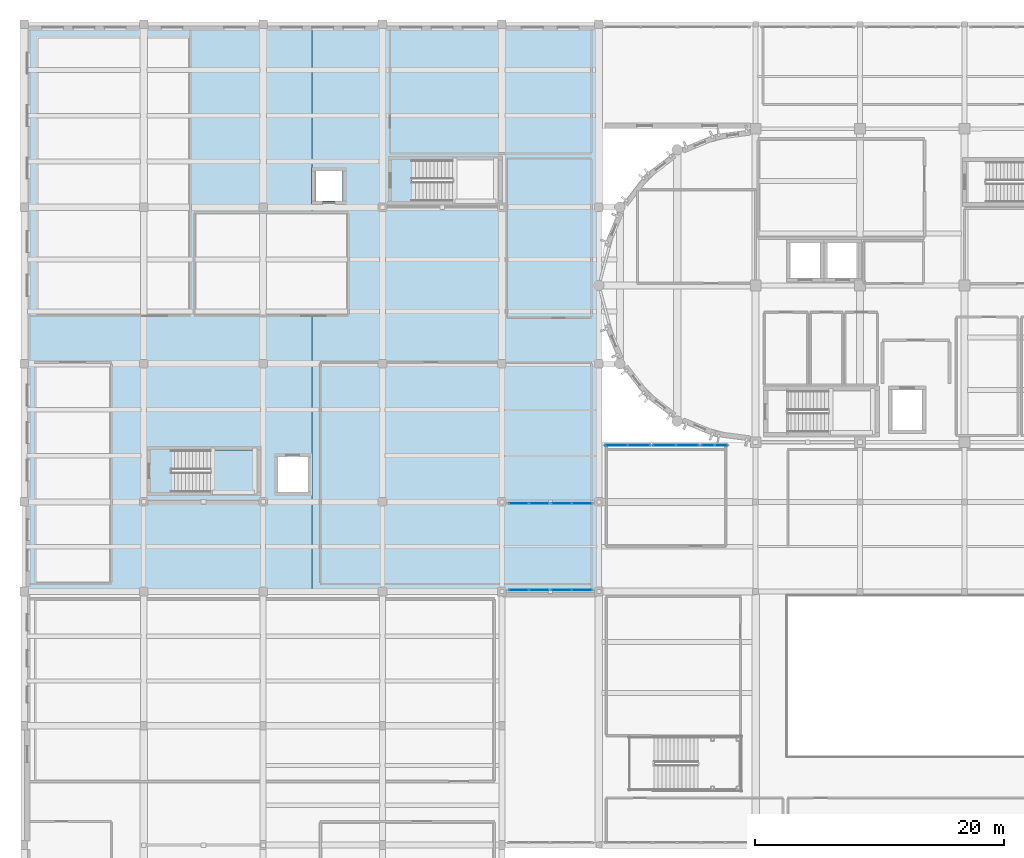
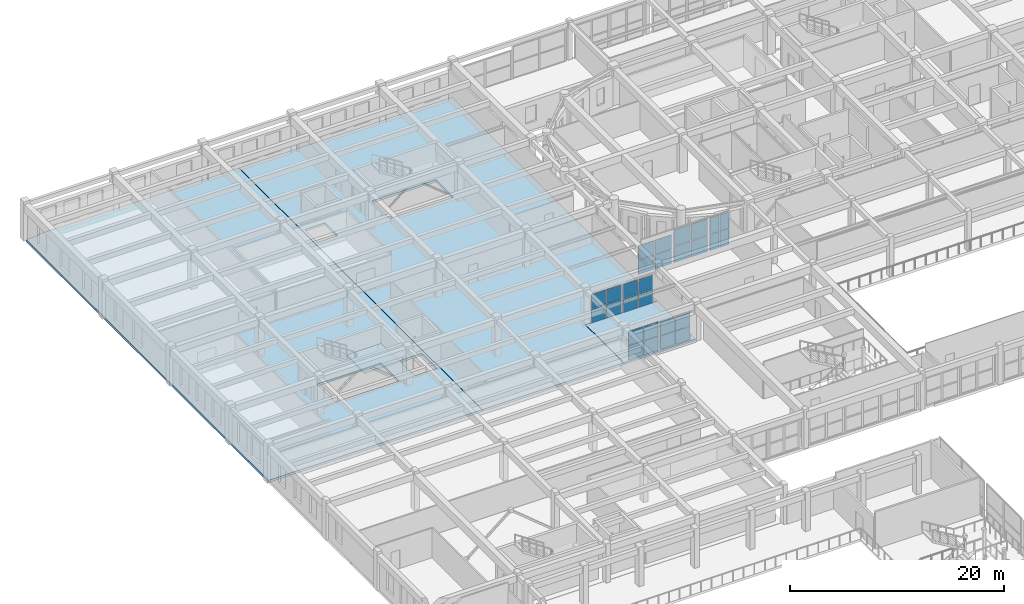
# One storey, part 57 of 92: 28 plates, 4 slabs, 8 elements without a shape of their own.
"""IFC4 building model written with IfcOpenShell, lengths in metres."""

import ifcopenshell
import ifcopenshell.guid

model = None  # the IFC model being written
_history = None  # IfcOwnerHistory: only IFC2X3 demands one
_inside = {}  # id of a spatial element -> (the spatial element, [elements in it])
_under = {}  # id of a project, library or spatial element -> (it, [spatial elements below it])
_declared = {}  # id of a project -> (the project, [libraries it declares])
_typed = {}  # id of a type object -> (the type object, [elements of that type])
_made_of = {}  # id of a material, layer set ... -> (it, [elements and type objects made of it])


def new_model(schema):
    """Start an empty IFC model of exactly this schema.

    Asked for "IFC4X3", IfcOpenShell would pick the latest addendum, in which some entities
    have other attributes; the version numbers below select the first issue.
    IFC2X3 requires an IfcOwnerHistory on every rooted entity: one is made here for all.
    """
    global model, _history
    if schema == "IFC4X3":
        model = ifcopenshell.file(schema_version=(4, 3, 0, 0))
    else:
        model = ifcopenshell.file(schema=schema)
    _inside.clear()
    _under.clear()
    _declared.clear()
    _typed.clear()
    _made_of.clear()
    _history = None
    if model.schema == "IFC2X3":
        org = make("IfcOrganization", Name="unknown")
        user = make(
            "IfcPersonAndOrganization",
            ThePerson=make("IfcPerson", FamilyName="unknown"),
            TheOrganization=org,
        )
        app = make(
            "IfcApplication",
            ApplicationDeveloper=org,
            Version="unknown",
            ApplicationFullName="unknown",
            ApplicationIdentifier="unknown",
        )
        _history = make(
            "IfcOwnerHistory",
            OwningUser=user,
            OwningApplication=app,
            ChangeAction="ADDED",
            CreationDate=0,
        )
    return model


def make(cls, **values):
    """One entity of the class cls with the attributes given. An attribute that is None is left unset."""
    return model.create_entity(
        cls, **{name: value for name, value in values.items() if value is not None}
    )


def rooted(cls, **values):
    """An entity with a GlobalId (a new one), such as an element, a storey or a relation."""
    return make(cls, GlobalId=ifcopenshell.guid.new(), OwnerHistory=_history, **values)


def si_unit(unit_type, name, prefix=None):
    """IfcSIUnit, for example si_unit("LENGTHUNIT", "METRE", prefix="MILLI")."""
    return make("IfcSIUnit", UnitType=unit_type, Prefix=prefix, Name=name)


def assignment(units):
    """IfcUnitAssignment: the units of a project."""
    return None if units is None else make("IfcUnitAssignment", Units=units)


def point(xyz):
    """IfcCartesianPoint."""
    return None if xyz is None else make("IfcCartesianPoint", Coordinates=xyz)


def direction(xyz):
    """IfcDirection."""
    return None if xyz is None else make("IfcDirection", DirectionRatios=xyz)


def frame(location, z_axis=None, x_axis=None):
    """IfcAxis2Placement3D, a coordinate frame: its origin and axes. An axis left out is left unset."""
    return make(
        "IfcAxis2Placement3D",
        Location=point(location),
        Axis=direction(z_axis),
        RefDirection=direction(x_axis),
    )


def frame_2d(location, x_axis=None):
    """IfcAxis2Placement2D, a coordinate frame in the plane: its origin and x axis."""
    return make(
        "IfcAxis2Placement2D", Location=point(location), RefDirection=direction(x_axis)
    )


def origin():
    """The frame at (0, 0, 0) with its axes left unset."""
    return frame((0.0, 0.0, 0.0))


def origin_2d():
    """The frame at (0, 0) in the plane with its x axis left unset."""
    return frame_2d((0.0, 0.0))


def place(relative_to, where):
    """IfcLocalPlacement: puts the frame where relative to a parent placement (None: the world)."""
    return make(
        "IfcLocalPlacement", PlacementRelTo=relative_to, RelativePlacement=where
    )


def context(
    kind, dimensions, precision=None, world=None, true_north=None, identifier=None
):
    """IfcGeometricRepresentationContext, for example the 3D "Model" context."""
    return make(
        "IfcGeometricRepresentationContext",
        ContextIdentifier=identifier,
        ContextType=kind,
        CoordinateSpaceDimension=dimensions,
        Precision=precision,
        WorldCoordinateSystem=world,
        TrueNorth=true_north,
    )


def subcontext(parent, identifier, kind, view, scale=None):
    """IfcGeometricRepresentationSubContext, for example "Body" below "Model"."""
    return make(
        "IfcGeometricRepresentationSubContext",
        ContextIdentifier=identifier,
        ContextType=kind,
        ParentContext=parent,
        TargetScale=scale,
        TargetView=view,
    )


def project(units=None, contexts=None):
    """IfcProject with its units and contexts."""
    return rooted(
        "IfcProject",
        Name="project",
        RepresentationContexts=contexts,
        UnitsInContext=assignment(units),
    )


def spatial(cls, under=None, at=None, **own):
    """A site, building, storey or space (cls), placed at a placement, below another one or the project."""
    s = rooted(cls, ObjectPlacement=at, **own)
    if under is not None:
        _under.setdefault(under.id(), (under, []))[1].append(s)
    return s


def polyline(points):
    """IfcPolyline through the points."""
    return make("IfcPolyline", Points=[point(p) for p in points])


def profile(cls, at=None, kind="AREA", **sizes):
    """A parametric profile (cls). Its sizes go by their IFC names, for example OverallWidth=200.0."""
    return make(cls, ProfileType=kind, Position=at, **sizes)


def rectangle(**sizes):
    """IfcRectangleProfileDef."""
    return profile("IfcRectangleProfileDef", **sizes)


def outline(outer, holes=None, kind="AREA"):
    """IfcArbitraryClosedProfileDef: a profile drawn as a closed curve; with holes, ...WithVoids."""
    if holes is None:
        return make("IfcArbitraryClosedProfileDef", ProfileType=kind, OuterCurve=outer)
    return make(
        "IfcArbitraryProfileDefWithVoids",
        ProfileType=kind,
        OuterCurve=outer,
        InnerCurves=holes,
    )


def extrude(swept, where, along, depth):
    """IfcExtrudedAreaSolid: the profile swept, set in the frame where, extruded along a direction by depth."""
    return make(
        "IfcExtrudedAreaSolid",
        SweptArea=swept,
        Position=where,
        ExtrudedDirection=direction(along),
        Depth=depth,
    )


def shape(context_of_items, identifier, shape_type, items):
    """IfcShapeRepresentation: the items that make up one representation, for example the "Body"."""
    return make(
        "IfcShapeRepresentation",
        ContextOfItems=context_of_items,
        RepresentationIdentifier=identifier,
        RepresentationType=shape_type,
        Items=items,
    )


def material(Name=None, Category=None):
    """IfcMaterial."""
    return make("IfcMaterial", Name=Name, Category=Category)


def layer(
    of_material, thickness, ventilated=None, Name=None, Category=None, Priority=None
):
    """IfcMaterialLayer: one layer of a wall or slab, of a material (None: an air gap)."""
    return make(
        "IfcMaterialLayer",
        Material=of_material,
        LayerThickness=thickness,
        IsVentilated=ventilated,
        Name=Name,
        Category=Category,
        Priority=Priority,
    )


def layer_set(layers, Name=None):
    """IfcMaterialLayerSet."""
    return make("IfcMaterialLayerSet", MaterialLayers=layers, LayerSetName=Name)


def made_of(thing, what):
    """Note that an element or type object is made of a material, layer set ...; save() writes the relation."""
    if what is not None:
        _made_of.setdefault(what.id(), (what, []))[1].append(thing)
    return thing


def type_object(cls, material=None, **own):
    """A type object (cls), such as IfcWallType, which elements share."""
    return made_of(rooted(cls, **own), material)


def element(
    cls,
    number,
    at=None,
    inside=None,
    cuts=None,
    type_object=None,
    material=None,
    context=None,
    identifier="Body",
    shape_type=None,
    held_by="IfcProductDefinitionShape",
    body=None,
    shapes=None,
    **own,
):
    """One element of the class cls, such as IfcWall. Its Tag is "e" and its number.

    at: its placement. inside: the storey or other place that contains it. cuts: it is an
    opening in that element (IfcRelVoidsElement). A single representation is given by context,
    identifier, shape_type and body (its items); several are given by shapes. held_by: the class
    of the entity that holds the representations. save() writes the other relations.
    """
    e = rooted(cls, Tag="e%d" % number, ObjectPlacement=at, **own)
    if body is not None:
        shapes = [shape(context, identifier, shape_type, body)]
    if shapes is not None:
        e.Representation = make(held_by, Representations=shapes)
    if inside is not None:
        _inside.setdefault(inside.id(), (inside, []))[1].append(e)
    if cuts is not None:
        rooted(
            "IfcRelVoidsElement", RelatingBuildingElement=cuts, RelatedOpeningElement=e
        )
    if type_object is not None:
        _typed.setdefault(type_object.id(), (type_object, []))[1].append(e)
    return made_of(e, material)


def aggregate(whole, parts):
    """IfcRelAggregates: a whole, such as a stair, and the parts it consists of."""
    return rooted("IfcRelAggregates", RelatingObject=whole, RelatedObjects=parts)


def save(model, path):
    """Write the relations noted so far, then the file.

    IfcRelAggregates (storeys below a building ...), IfcRelContainedInSpatialStructure (elements
    in a storey), IfcRelDefinesByType, IfcRelAssociatesMaterial and IfcRelDeclares: one each for
    every whole, place, type object, material and project.
    """
    for whole, parts in _under.values():
        aggregate(whole, parts)
    for where, things in _inside.values():
        rooted(
            "IfcRelContainedInSpatialStructure",
            RelatedElements=things,
            RelatingStructure=where,
        )
    for kind, things in _typed.values():
        rooted("IfcRelDefinesByType", RelatedObjects=things, RelatingType=kind)
    for what, things in _made_of.values():
        rooted("IfcRelAssociatesMaterial", RelatedObjects=things, RelatingMaterial=what)
    for by, libraries in _declared.values():
        rooted("IfcRelDeclares", RelatingContext=by, RelatedDefinitions=libraries)
    model.write(path)


model = new_model("IFC4")

# Units and contexts
model_context = context("Model", 3, precision=1e-05, world=origin(), true_north=direction((0.0, 1.0)))
body_context = subcontext(model_context, "Body", "Model", "MODEL_VIEW")
ifc_project = project(units=[si_unit("LENGTHUNIT", "METRE"), si_unit("AREAUNIT", "SQUARE_METRE"), si_unit("VOLUMEUNIT", "CUBIC_METRE"), si_unit("PLANEANGLEUNIT", "RADIAN"), si_unit("MASSUNIT", "GRAM", prefix="KILO")], contexts=[model_context])

# Site, building, storey
site_placement = place(None, origin())
site = spatial("IfcSite", under=ifc_project, at=site_placement, CompositionType="ELEMENT")
building_placement = place(site_placement, origin())
building = spatial("IfcBuilding", under=site, at=building_placement, Name="Tarnavel Promenade Courthouse", CompositionType="ELEMENT")
storey_placement = place(building_placement, frame((0.0, 0.0, 5.39990234375)))
storey = spatial("IfcBuildingStorey", under=building, at=storey_placement, Name="L02", CompositionType="ELEMENT", Elevation=5.39990234375)

# Slab
ifc_material_1 = material(Name="Concrete C35/45", Category="concrete")
ifc_layer_1 = layer(ifc_material_1, 0.2099609375)
ifc_layer_set_1 = layer_set([ifc_layer_1], Name="Concrete C35/45")
slab_type_1 = type_object("IfcSlabType", Name="Concrete C35/45 SLB-BRG-210 (210 mm)", PredefinedType="FLOOR", material=ifc_layer_set_1)
slab_1_placement = place(storey_placement, frame((0.0, 0.0, -0.2099609375)))
element("IfcSlab", 1, at=slab_1_placement, inside=storey, type_object=slab_type_1, Name="L02 West Judicial Link Bridge Deck", PredefinedType="FLOOR", context=body_context, shape_type="SweptSolid", body=[
    extrude(outline(polyline([(38.419921875, 67.219970703125), (46.179931640625, 67.219970703125), (46.179931640625, 74.3798828125), (38.419921875, 74.3798828125), (38.419921875, 67.219970703125)])), origin(), (0.0, 0.0, 1.0), 0.2099609375),
])

# Stair, slab
stair_type = type_object("IfcStairType", Name="Concrete C35/45 Half-Turn Stair STR-09 (1580W-290G-24R)", PredefinedType="HALF_TURN_STAIR", material=ifc_material_1)
stair_placement = place(storey_placement, origin())
stair = element("IfcStair", 2, at=stair_placement, inside=storey, type_object=stair_type, Name="L02 Trial Courts West Exit Stair", PredefinedType="HALF_TURN_STAIR")
ifc_layer_2 = layer(ifc_material_1, 0.205078125)
ifc_layer_set_2 = layer_set([ifc_layer_2], Name="Concrete C35/45")
slab_type_2 = type_object("IfcSlabType", Name="Concrete C35/45 Stair Landing SLB-LND-205 (205 mm)", PredefinedType="LANDING", material=ifc_layer_set_2)
slab_2_placement = place(storey_placement, frame((0.0, 0.0, 2.050048828125)))
slab_2 = element("IfcSlab", 3, at=slab_2_placement, type_object=slab_type_2, Name="ST-04 landing 1", PredefinedType="LANDING", context=body_context, shape_type="SweptSolid", body=[
    extrude(outline(polyline([(14.969970703125, 75.199951171875), (18.699951171875, 75.199951171875), (18.699951171875, 78.56005859375), (14.969970703125, 78.56005859375), (14.969970703125, 75.199951171875)])), origin(), (0.0, 0.0, 1.0), 0.199951171875),
])
aggregate(stair, [slab_2])

# Slabs
ifc_material_2 = material(Name="Concrete C40/50", Category="concrete")
ifc_layer_3 = layer(ifc_material_2, 0.260009765625)
ifc_layer_set_3 = layer_set([ifc_layer_3], Name="Concrete C40/50")
slab_type_3 = type_object("IfcSlabType", Name="Concrete C40/50 SLB-PT-260 (260 mm)", PredefinedType="FLOOR", material=ifc_layer_set_3)
slab_3_placement = place(storey_placement, frame((0.0, 0.0, -0.260009765625)))
element("IfcSlab", 4, at=slab_3_placement, inside=storey, type_object=slab_type_3, Name="L02 Trial Courtrooms W PT Floor Slab", PredefinedType="FLOOR", context=body_context, shape_type="SweptSolid", body=[
    extrude(outline(polyline([(0.0, 67.219970703125), (23.080078125, 67.219970703125), (23.080078125, 112.800048828125), (1.39990234375, 112.800048828125), (1.39990234375, 112.639892578125), (0.0, 112.639892578125), (0.0, 67.219970703125)]), holes=[polyline([(11.824951171875, 75.199951171875), (18.699951171875, 75.199951171875), (18.699951171875, 78.56005859375), (11.824951171875, 78.56005859375), (11.824951171875, 75.199951171875)]), polyline([(20.39990234375, 75.199951171875), (22.800048828125, 75.199951171875), (22.800048828125, 78.0), (20.39990234375, 78.0), (20.39990234375, 75.199951171875)])]), origin(), (0.0, 0.0, 1.0), 0.260009765625),
])
slab_4_placement = place(storey_placement, frame((0.0, 0.0, -0.260009765625)))
element("IfcSlab", 5, at=slab_4_placement, inside=storey, type_object=slab_type_3, Name="L02 Trial Courtrooms E PT Floor Slab", PredefinedType="FLOOR", context=body_context, shape_type="SweptSolid", body=[
    extrude(outline(polyline([(23.1201171875, 67.219970703125), (38.3798828125, 67.219970703125), (38.3798828125, 74.419921875), (46.179931640625, 74.419921875), (46.179931640625, 112.800048828125), (23.1201171875, 112.800048828125), (23.1201171875, 67.219970703125)]), holes=[polyline([(31.18505859375, 98.60009765625), (38.10009765625, 98.60009765625), (38.10009765625, 101.8798828125), (31.18505859375, 101.8798828125), (31.18505859375, 98.60009765625)]), polyline([(23.39990234375, 98.60009765625), (25.60009765625, 98.60009765625), (25.60009765625, 101.0), (23.39990234375, 101.0), (23.39990234375, 98.60009765625)])]), origin(), (0.0, 0.0, 1.0), 0.260009765625),
])

# Curtain wall, plates
ifc_material_3 = material(Name="Thermally Broken Anodised Aluminium Curtain Wall System", Category="aluminium")
ifc_layer_4 = layer(ifc_material_3, 0.18505859375)
ifc_layer_set_4 = layer_set([ifc_layer_4], Name="Thermally Broken Anodised Aluminium Curtain Wall System")
curtain_wall_type_1 = type_object("IfcCurtainWallType", Name="Thermally Broken Aluminium Triple-Glazed Curtain Wall CW-BRG", PredefinedType="NOTDEFINED", material=ifc_layer_set_4)
curtain_wall_1_placement = place(storey_placement, origin())
curtain_wall_1 = element("IfcCurtainWall", 6, at=curtain_wall_1_placement, inside=storey, type_object=curtain_wall_type_1, Name="L02 West Bridge Curtain Wall A 150", PredefinedType="NOTDEFINED")
ifc_material_4 = material(Name="Triple Low-E Argon Insulated Glazing", Category="glass")
ifc_layer_5 = layer(ifc_material_4, 0.0419921875)
ifc_layer_set_5 = layer_set([ifc_layer_5], Name="Triple Low-E Argon Insulated Glazing")
plate_type_1 = type_object("IfcPlateType", Name="Triple Low-E Argon Insulated Glazing Unit CWP-42 (42 mm)", PredefinedType="CURTAIN_PANEL", material=ifc_layer_set_5)
plate_1_placement = place(storey_placement, frame((39.760009765625, 67.330078125, 0.070068359375), z_axis=(0.0, 0.0, 1.0), x_axis=(1.0, 0.0, 0.0)))
plate_1 = element("IfcPlate", 7, at=plate_1_placement, type_object=plate_type_1, Name="CW-05 panel 1.1", PredefinedType="CURTAIN_PANEL", context=body_context, shape_type="SweptSolid", body=[
    extrude(rectangle(XDim=1.56005859375, YDim=0.0419921875, at=origin_2d()), origin(), (0.0, 0.0, 1.0), 1.5849609375),
])
plate_2_placement = place(storey_placement, frame((39.760009765625, 67.330078125, 1.72509765625), z_axis=(0.0, 0.0, 1.0), x_axis=(1.0, 0.0, 0.0)))
plate_2 = element("IfcPlate", 8, at=plate_2_placement, type_object=plate_type_1, Name="CW-05 panel 1.2", PredefinedType="CURTAIN_PANEL", context=body_context, shape_type="SweptSolid", body=[
    extrude(rectangle(XDim=1.56005859375, YDim=0.0419921875, at=origin_2d()), origin(), (0.0, 0.0, 1.0), 1.5849609375),
])
plate_3_placement = place(storey_placement, frame((41.39990234375, 67.330078125, 0.070068359375), z_axis=(0.0, 0.0, 1.0), x_axis=(1.0, 0.0, 0.0)))
plate_3 = element("IfcPlate", 9, at=plate_3_placement, type_object=plate_type_1, Name="CW-05 panel 2.1", PredefinedType="CURTAIN_PANEL", context=body_context, shape_type="SweptSolid", body=[
    extrude(rectangle(XDim=1.56005859375, YDim=0.0419921875, at=origin_2d()), origin(), (0.0, 0.0, 1.0), 1.5849609375),
])
plate_4_placement = place(storey_placement, frame((41.39990234375, 67.330078125, 1.72509765625), z_axis=(0.0, 0.0, 1.0), x_axis=(1.0, 0.0, 0.0)))
plate_4 = element("IfcPlate", 10, at=plate_4_placement, type_object=plate_type_1, Name="CW-05 panel 2.2", PredefinedType="CURTAIN_PANEL", context=body_context, shape_type="SweptSolid", body=[
    extrude(rectangle(XDim=1.56005859375, YDim=0.0419921875, at=origin_2d()), origin(), (0.0, 0.0, 1.0), 1.5849609375),
])
aggregate(curtain_wall_1, [plate_1, plate_2, plate_3, plate_4])

curtain_wall_2_placement = place(storey_placement, origin())
curtain_wall_2 = element("IfcCurtainWall", 11, at=curtain_wall_2_placement, inside=storey, type_object=curtain_wall_type_1, Name="L02 West Bridge Curtain Wall B 151", PredefinedType="NOTDEFINED")
plate_5_placement = place(storey_placement, frame((43.199951171875, 67.330078125, 0.0703125), z_axis=(0.0, 0.0, 1.0), x_axis=(1.0, 0.0, 0.0)))
plate_5 = element("IfcPlate", 12, at=plate_5_placement, type_object=plate_type_1, Name="CW-05 panel 1.1", PredefinedType="CURTAIN_PANEL", context=body_context, shape_type="SweptSolid", body=[
    extrude(rectangle(XDim=1.56005859375, YDim=0.0419921875, at=origin_2d()), origin(), (0.0, 0.0, 1.0), 1.510009765625),
])
plate_6_placement = place(storey_placement, frame((43.199951171875, 67.330078125, 1.64990234375), z_axis=(0.0, 0.0, 1.0), x_axis=(1.0, 0.0, 0.0)))
plate_6 = element("IfcPlate", 13, at=plate_6_placement, type_object=plate_type_1, Name="CW-05 panel 1.2", PredefinedType="CURTAIN_PANEL", context=body_context, shape_type="SweptSolid", body=[
    extrude(rectangle(XDim=1.56005859375, YDim=0.0419921875, at=origin_2d()), origin(), (0.0, 0.0, 1.0), 1.510009765625),
])
plate_7_placement = place(storey_placement, frame((44.840087890625, 67.330078125, 0.0703125), z_axis=(0.0, 0.0, 1.0), x_axis=(1.0, 0.0, 0.0)))
plate_7 = element("IfcPlate", 14, at=plate_7_placement, type_object=plate_type_1, Name="CW-05 panel 2.1", PredefinedType="CURTAIN_PANEL", context=body_context, shape_type="SweptSolid", body=[
    extrude(rectangle(XDim=1.56005859375, YDim=0.0419921875, at=origin_2d()), origin(), (0.0, 0.0, 1.0), 1.510009765625),
])
plate_8_placement = place(storey_placement, frame((44.840087890625, 67.330078125, 1.64990234375), z_axis=(0.0, 0.0, 1.0), x_axis=(1.0, 0.0, 0.0)))
plate_8 = element("IfcPlate", 15, at=plate_8_placement, type_object=plate_type_1, Name="CW-05 panel 2.2", PredefinedType="CURTAIN_PANEL", context=body_context, shape_type="SweptSolid", body=[
    extrude(rectangle(XDim=1.56005859375, YDim=0.0419921875, at=origin_2d()), origin(), (0.0, 0.0, 1.0), 1.510009765625),
])
aggregate(curtain_wall_2, [plate_5, plate_6, plate_7, plate_8])

curtain_wall_3_placement = place(storey_placement, origin())
curtain_wall_3 = element("IfcCurtainWall", 16, at=curtain_wall_3_placement, inside=storey, type_object=curtain_wall_type_1, Name="L02 West Bridge Curtain Wall A 152", PredefinedType="NOTDEFINED")
plate_9_placement = place(storey_placement, frame((39.760009765625, 74.27001953125, 0.070068359375), z_axis=(0.0, 0.0, 1.0), x_axis=(1.0, 0.0, 0.0)))
plate_9 = element("IfcPlate", 17, at=plate_9_placement, type_object=plate_type_1, Name="CW-05 panel 1.1", PredefinedType="CURTAIN_PANEL", context=body_context, shape_type="SweptSolid", body=[
    extrude(rectangle(XDim=1.56005859375, YDim=0.0419921875, at=origin_2d()), origin(), (0.0, 0.0, 1.0), 1.5849609375),
])
plate_10_placement = place(storey_placement, frame((39.760009765625, 74.27001953125, 1.72509765625), z_axis=(0.0, 0.0, 1.0), x_axis=(1.0, 0.0, 0.0)))
plate_10 = element("IfcPlate", 18, at=plate_10_placement, type_object=plate_type_1, Name="CW-05 panel 1.2", PredefinedType="CURTAIN_PANEL", context=body_context, shape_type="SweptSolid", body=[
    extrude(rectangle(XDim=1.56005859375, YDim=0.0419921875, at=origin_2d()), origin(), (0.0, 0.0, 1.0), 1.5849609375),
])
plate_11_placement = place(storey_placement, frame((41.39990234375, 74.27001953125, 0.070068359375), z_axis=(0.0, 0.0, 1.0), x_axis=(1.0, 0.0, 0.0)))
plate_11 = element("IfcPlate", 19, at=plate_11_placement, type_object=plate_type_1, Name="CW-05 panel 2.1", PredefinedType="CURTAIN_PANEL", context=body_context, shape_type="SweptSolid", body=[
    extrude(rectangle(XDim=1.56005859375, YDim=0.0419921875, at=origin_2d()), origin(), (0.0, 0.0, 1.0), 1.5849609375),
])
plate_12_placement = place(storey_placement, frame((41.39990234375, 74.27001953125, 1.72509765625), z_axis=(0.0, 0.0, 1.0), x_axis=(1.0, 0.0, 0.0)))
plate_12 = element("IfcPlate", 20, at=plate_12_placement, type_object=plate_type_1, Name="CW-05 panel 2.2", PredefinedType="CURTAIN_PANEL", context=body_context, shape_type="SweptSolid", body=[
    extrude(rectangle(XDim=1.56005859375, YDim=0.0419921875, at=origin_2d()), origin(), (0.0, 0.0, 1.0), 1.5849609375),
])
aggregate(curtain_wall_3, [plate_9, plate_10, plate_11, plate_12])

curtain_wall_4_placement = place(storey_placement, origin())
curtain_wall_4 = element("IfcCurtainWall", 21, at=curtain_wall_4_placement, inside=storey, type_object=curtain_wall_type_1, Name="L02 West Bridge Curtain Wall B 153", PredefinedType="NOTDEFINED")
plate_13_placement = place(storey_placement, frame((43.199951171875, 74.27001953125, 0.070068359375), z_axis=(0.0, 0.0, 1.0), x_axis=(1.0, 0.0, 0.0)))
plate_13 = element("IfcPlate", 22, at=plate_13_placement, type_object=plate_type_1, Name="CW-05 panel 1.1", PredefinedType="CURTAIN_PANEL", context=body_context, shape_type="SweptSolid", body=[
    extrude(rectangle(XDim=1.56005859375, YDim=0.0419921875, at=origin_2d()), origin(), (0.0, 0.0, 1.0), 1.56005859375),
])
plate_14_placement = place(storey_placement, frame((43.199951171875, 74.27001953125, 1.699951171875), z_axis=(0.0, 0.0, 1.0), x_axis=(1.0, 0.0, 0.0)))
plate_14 = element("IfcPlate", 23, at=plate_14_placement, type_object=plate_type_1, Name="CW-05 panel 1.2", PredefinedType="CURTAIN_PANEL", context=body_context, shape_type="SweptSolid", body=[
    extrude(rectangle(XDim=1.56005859375, YDim=0.0419921875, at=origin_2d()), origin(), (0.0, 0.0, 1.0), 1.56005859375),
])
plate_15_placement = place(storey_placement, frame((44.840087890625, 74.27001953125, 0.070068359375), z_axis=(0.0, 0.0, 1.0), x_axis=(1.0, 0.0, 0.0)))
plate_15 = element("IfcPlate", 24, at=plate_15_placement, type_object=plate_type_1, Name="CW-05 panel 2.1", PredefinedType="CURTAIN_PANEL", context=body_context, shape_type="SweptSolid", body=[
    extrude(rectangle(XDim=1.56005859375, YDim=0.0419921875, at=origin_2d()), origin(), (0.0, 0.0, 1.0), 1.56005859375),
])
plate_16_placement = place(storey_placement, frame((44.840087890625, 74.27001953125, 1.699951171875), z_axis=(0.0, 0.0, 1.0), x_axis=(1.0, 0.0, 0.0)))
plate_16 = element("IfcPlate", 25, at=plate_16_placement, type_object=plate_type_1, Name="CW-05 panel 2.2", PredefinedType="CURTAIN_PANEL", context=body_context, shape_type="SweptSolid", body=[
    extrude(rectangle(XDim=1.56005859375, YDim=0.0419921875, at=origin_2d()), origin(), (0.0, 0.0, 1.0), 1.56005859375),
])
aggregate(curtain_wall_4, [plate_13, plate_14, plate_15, plate_16])

ifc_layer_6 = layer(ifc_material_3, 0.2099609375)
ifc_layer_set_6 = layer_set([ifc_layer_6], Name="Thermally Broken Anodised Aluminium Curtain Wall System")
curtain_wall_type_2 = type_object("IfcCurtainWallType", Name="Thermally Broken Aluminium Triple-Glazed Curtain Wall CW-WG-N", PredefinedType="NOTDEFINED", material=ifc_layer_set_6)
curtain_wall_5_placement = place(storey_placement, origin())
curtain_wall_5 = element("IfcCurtainWall", 26, at=curtain_wall_5_placement, inside=storey, type_object=curtain_wall_type_2, Name="L02 Winter-Garden North Curtain Wall 108", PredefinedType="NOTDEFINED")
ifc_layer_7 = layer(ifc_material_4, 0.048095703125)
ifc_layer_set_7 = layer_set([ifc_layer_7], Name="Triple Low-E Argon Insulated Glazing")
plate_type_2 = type_object("IfcPlateType", Name="Triple Low-E Argon Insulated Glazing Unit CWP-48 (48 mm)", PredefinedType="CURTAIN_PANEL", material=ifc_layer_set_7)
plate_17_placement = place(storey_placement, frame((47.607421875, 78.949951171875, 0.070068359375), z_axis=(0.0, 0.0, 1.0), x_axis=(1.0, 0.0, 0.0)))
plate_17 = element("IfcPlate", 27, at=plate_17_placement, type_object=plate_type_2, Name="CW-03 panel 1.1", PredefinedType="CURTAIN_PANEL", context=body_context, shape_type="SweptSolid", body=[
    extrude(rectangle(XDim=1.7548828125, YDim=0.048095703125, at=origin_2d()), origin(), (0.0, 0.0, 1.0), 1.60498046875),
])
plate_18_placement = place(storey_placement, frame((47.607421875, 78.949951171875, 1.7451171875), z_axis=(0.0, 0.0, 1.0), x_axis=(1.0, 0.0, 0.0)))
plate_18 = element("IfcPlate", 28, at=plate_18_placement, type_object=plate_type_2, Name="CW-03 panel 1.2", PredefinedType="CURTAIN_PANEL", context=body_context, shape_type="SweptSolid", body=[
    extrude(rectangle(XDim=1.7548828125, YDim=0.048095703125, at=origin_2d()), origin(), (0.0, 0.0, 1.0), 1.60498046875),
])
plate_19_placement = place(storey_placement, frame((49.4423828125, 78.949951171875, 0.070068359375), z_axis=(0.0, 0.0, 1.0), x_axis=(1.0, 0.0, 0.0)))
plate_19 = element("IfcPlate", 29, at=plate_19_placement, type_object=plate_type_2, Name="CW-03 panel 2.1", PredefinedType="CURTAIN_PANEL", context=body_context, shape_type="SweptSolid", body=[
    extrude(rectangle(XDim=1.7548828125, YDim=0.048095703125, at=origin_2d()), origin(), (0.0, 0.0, 1.0), 1.60498046875),
])
plate_20_placement = place(storey_placement, frame((49.4423828125, 78.949951171875, 1.7451171875), z_axis=(0.0, 0.0, 1.0), x_axis=(1.0, 0.0, 0.0)))
plate_20 = element("IfcPlate", 30, at=plate_20_placement, type_object=plate_type_2, Name="CW-03 panel 2.2", PredefinedType="CURTAIN_PANEL", context=body_context, shape_type="SweptSolid", body=[
    extrude(rectangle(XDim=1.7548828125, YDim=0.048095703125, at=origin_2d()), origin(), (0.0, 0.0, 1.0), 1.60498046875),
])
aggregate(curtain_wall_5, [plate_17, plate_18, plate_19, plate_20])

curtain_wall_6_placement = place(storey_placement, origin())
curtain_wall_6 = element("IfcCurtainWall", 31, at=curtain_wall_6_placement, inside=storey, type_object=curtain_wall_type_2, Name="L02 Winter-Garden North Curtain Wall 109", PredefinedType="NOTDEFINED")
plate_21_placement = place(storey_placement, frame((51.469970703125, 78.949951171875, 0.070068359375), z_axis=(0.0, 0.0, 1.0), x_axis=(1.0, 0.0, 0.0)))
plate_21 = element("IfcPlate", 32, at=plate_21_placement, type_object=plate_type_2, Name="CW-03 panel 1.1", PredefinedType="CURTAIN_PANEL", context=body_context, shape_type="SweptSolid", body=[
    extrude(rectangle(XDim=1.780029296875, YDim=0.048095703125, at=origin_2d()), origin(), (0.0, 0.0, 1.0), 1.830078125),
])
plate_22_placement = place(storey_placement, frame((51.469970703125, 78.949951171875, 1.969970703125), z_axis=(0.0, 0.0, 1.0), x_axis=(1.0, 0.0, 0.0)))
plate_22 = element("IfcPlate", 33, at=plate_22_placement, type_object=plate_type_2, Name="CW-03 panel 1.2", PredefinedType="CURTAIN_PANEL", context=body_context, shape_type="SweptSolid", body=[
    extrude(rectangle(XDim=1.780029296875, YDim=0.048095703125, at=origin_2d()), origin(), (0.0, 0.0, 1.0), 1.830078125),
])
plate_23_placement = place(storey_placement, frame((53.330078125, 78.949951171875, 0.070068359375), z_axis=(0.0, 0.0, 1.0), x_axis=(1.0, 0.0, 0.0)))
plate_23 = element("IfcPlate", 34, at=plate_23_placement, type_object=plate_type_2, Name="CW-03 panel 2.1", PredefinedType="CURTAIN_PANEL", context=body_context, shape_type="SweptSolid", body=[
    extrude(rectangle(XDim=1.780029296875, YDim=0.048095703125, at=origin_2d()), origin(), (0.0, 0.0, 1.0), 1.830078125),
])
plate_24_placement = place(storey_placement, frame((53.330078125, 78.949951171875, 1.969970703125), z_axis=(0.0, 0.0, 1.0), x_axis=(1.0, 0.0, 0.0)))
plate_24 = element("IfcPlate", 35, at=plate_24_placement, type_object=plate_type_2, Name="CW-03 panel 2.2", PredefinedType="CURTAIN_PANEL", context=body_context, shape_type="SweptSolid", body=[
    extrude(rectangle(XDim=1.780029296875, YDim=0.048095703125, at=origin_2d()), origin(), (0.0, 0.0, 1.0), 1.830078125),
])
aggregate(curtain_wall_6, [plate_21, plate_22, plate_23, plate_24])

curtain_wall_7_placement = place(storey_placement, origin())
curtain_wall_7 = element("IfcCurtainWall", 36, at=curtain_wall_7_placement, inside=storey, type_object=curtain_wall_type_2, Name="L02 Winter-Garden North Curtain Wall 110", PredefinedType="NOTDEFINED")
plate_25_placement = place(storey_placement, frame((54.969970703125, 78.949951171875, 0.070068359375), z_axis=(0.0, 0.0, 1.0), x_axis=(1.0, 0.0, 0.0)))
plate_25 = element("IfcPlate", 37, at=plate_25_placement, type_object=plate_type_2, Name="CW-03 panel 1.1", PredefinedType="CURTAIN_PANEL", context=body_context, shape_type="SweptSolid", body=[
    extrude(rectangle(XDim=0.97998046875, YDim=0.048095703125, at=origin_2d()), origin(), (0.0, 0.0, 1.0), 1.830078125),
])
plate_26_placement = place(storey_placement, frame((54.969970703125, 78.949951171875, 1.969970703125), z_axis=(0.0, 0.0, 1.0), x_axis=(1.0, 0.0, 0.0)))
plate_26 = element("IfcPlate", 38, at=plate_26_placement, type_object=plate_type_2, Name="CW-03 panel 1.2", PredefinedType="CURTAIN_PANEL", context=body_context, shape_type="SweptSolid", body=[
    extrude(rectangle(XDim=0.97998046875, YDim=0.048095703125, at=origin_2d()), origin(), (0.0, 0.0, 1.0), 1.830078125),
])
plate_27_placement = place(storey_placement, frame((56.030029296875, 78.949951171875, 0.070068359375), z_axis=(0.0, 0.0, 1.0), x_axis=(1.0, 0.0, 0.0)))
plate_27 = element("IfcPlate", 39, at=plate_27_placement, type_object=plate_type_2, Name="CW-03 panel 2.1", PredefinedType="CURTAIN_PANEL", context=body_context, shape_type="SweptSolid", body=[
    extrude(rectangle(XDim=0.97998046875, YDim=0.048095703125, at=origin_2d()), origin(), (0.0, 0.0, 1.0), 1.830078125),
])
plate_28_placement = place(storey_placement, frame((56.030029296875, 78.949951171875, 1.969970703125), z_axis=(0.0, 0.0, 1.0), x_axis=(1.0, 0.0, 0.0)))
plate_28 = element("IfcPlate", 40, at=plate_28_placement, type_object=plate_type_2, Name="CW-03 panel 2.2", PredefinedType="CURTAIN_PANEL", context=body_context, shape_type="SweptSolid", body=[
    extrude(rectangle(XDim=0.97998046875, YDim=0.048095703125, at=origin_2d()), origin(), (0.0, 0.0, 1.0), 1.830078125),
])
aggregate(curtain_wall_7, [plate_25, plate_26, plate_27, plate_28])

save(model, "model.ifc")
